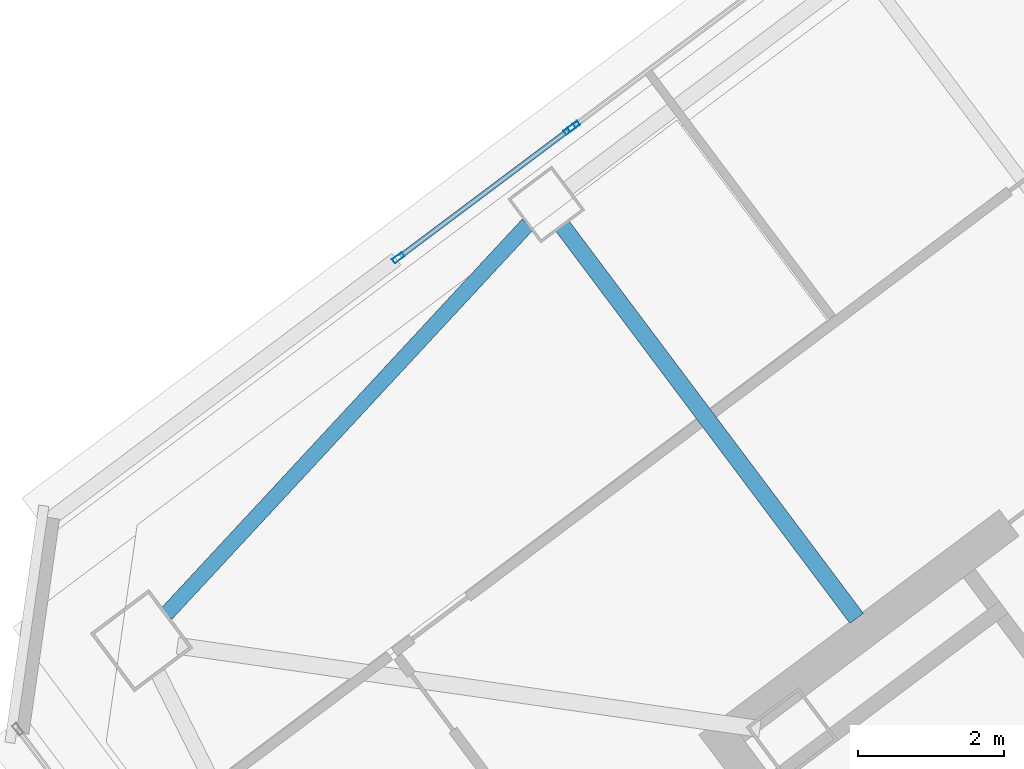
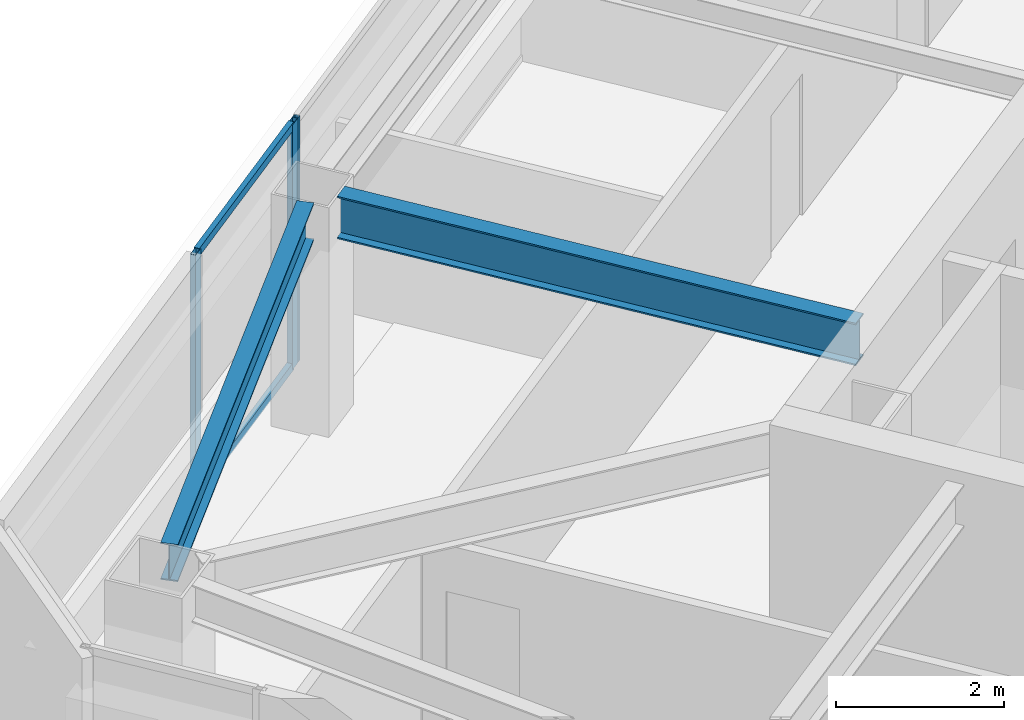
# One storey, part 21 of 40: 5 members, 2 beams, 2 elements without a shape of their own.
"""IFC4 building model written with IfcOpenShell, lengths in metres."""

import ifcopenshell
import ifcopenshell.guid

model = None  # the IFC model being written
_history = None  # IfcOwnerHistory: only IFC2X3 demands one
_inside = {}  # id of a spatial element -> (the spatial element, [elements in it])
_under = {}  # id of a project, library or spatial element -> (it, [spatial elements below it])
_declared = {}  # id of a project -> (the project, [libraries it declares])
_typed = {}  # id of a type object -> (the type object, [elements of that type])
_made_of = {}  # id of a material, layer set ... -> (it, [elements and type objects made of it])


def new_model(schema):
    """Start an empty IFC model of exactly this schema.

    Asked for "IFC4X3", IfcOpenShell would pick the latest addendum, in which some entities
    have other attributes; the version numbers below select the first issue.
    IFC2X3 requires an IfcOwnerHistory on every rooted entity: one is made here for all.
    """
    global model, _history
    if schema == "IFC4X3":
        model = ifcopenshell.file(schema_version=(4, 3, 0, 0))
    else:
        model = ifcopenshell.file(schema=schema)
    _inside.clear()
    _under.clear()
    _declared.clear()
    _typed.clear()
    _made_of.clear()
    _history = None
    if model.schema == "IFC2X3":
        org = make("IfcOrganization", Name="unknown")
        user = make(
            "IfcPersonAndOrganization",
            ThePerson=make("IfcPerson", FamilyName="unknown"),
            TheOrganization=org,
        )
        app = make(
            "IfcApplication",
            ApplicationDeveloper=org,
            Version="unknown",
            ApplicationFullName="unknown",
            ApplicationIdentifier="unknown",
        )
        _history = make(
            "IfcOwnerHistory",
            OwningUser=user,
            OwningApplication=app,
            ChangeAction="ADDED",
            CreationDate=0,
        )
    return model


def make(cls, **values):
    """One entity of the class cls with the attributes given. An attribute that is None is left unset."""
    return model.create_entity(
        cls, **{name: value for name, value in values.items() if value is not None}
    )


def rooted(cls, **values):
    """An entity with a GlobalId (a new one), such as an element, a storey or a relation."""
    return make(cls, GlobalId=ifcopenshell.guid.new(), OwnerHistory=_history, **values)


def si_unit(unit_type, name, prefix=None):
    """IfcSIUnit, for example si_unit("LENGTHUNIT", "METRE", prefix="MILLI")."""
    return make("IfcSIUnit", UnitType=unit_type, Prefix=prefix, Name=name)


def assignment(units):
    """IfcUnitAssignment: the units of a project."""
    return None if units is None else make("IfcUnitAssignment", Units=units)


def point(xyz):
    """IfcCartesianPoint."""
    return None if xyz is None else make("IfcCartesianPoint", Coordinates=xyz)


def direction(xyz):
    """IfcDirection."""
    return None if xyz is None else make("IfcDirection", DirectionRatios=xyz)


def frame(location, z_axis=None, x_axis=None):
    """IfcAxis2Placement3D, a coordinate frame: its origin and axes. An axis left out is left unset."""
    return make(
        "IfcAxis2Placement3D",
        Location=point(location),
        Axis=direction(z_axis),
        RefDirection=direction(x_axis),
    )


def frame_2d(location, x_axis=None):
    """IfcAxis2Placement2D, a coordinate frame in the plane: its origin and x axis."""
    return make(
        "IfcAxis2Placement2D", Location=point(location), RefDirection=direction(x_axis)
    )


def origin():
    """The frame at (0, 0, 0) with its axes left unset."""
    return frame((0.0, 0.0, 0.0))


def origin_2d():
    """The frame at (0, 0) in the plane with its x axis left unset."""
    return frame_2d((0.0, 0.0))


def place(relative_to, where):
    """IfcLocalPlacement: puts the frame where relative to a parent placement (None: the world)."""
    return make(
        "IfcLocalPlacement", PlacementRelTo=relative_to, RelativePlacement=where
    )


def context(
    kind, dimensions, precision=None, world=None, true_north=None, identifier=None
):
    """IfcGeometricRepresentationContext, for example the 3D "Model" context."""
    return make(
        "IfcGeometricRepresentationContext",
        ContextIdentifier=identifier,
        ContextType=kind,
        CoordinateSpaceDimension=dimensions,
        Precision=precision,
        WorldCoordinateSystem=world,
        TrueNorth=true_north,
    )


def subcontext(parent, identifier, kind, view, scale=None):
    """IfcGeometricRepresentationSubContext, for example "Body" below "Model"."""
    return make(
        "IfcGeometricRepresentationSubContext",
        ContextIdentifier=identifier,
        ContextType=kind,
        ParentContext=parent,
        TargetScale=scale,
        TargetView=view,
    )


def project(units=None, contexts=None):
    """IfcProject with its units and contexts."""
    return rooted(
        "IfcProject",
        Name="project",
        RepresentationContexts=contexts,
        UnitsInContext=assignment(units),
    )


def spatial(cls, under=None, at=None, **own):
    """A site, building, storey or space (cls), placed at a placement, below another one or the project."""
    s = rooted(cls, ObjectPlacement=at, **own)
    if under is not None:
        _under.setdefault(under.id(), (under, []))[1].append(s)
    return s


def profile(cls, at=None, kind="AREA", **sizes):
    """A parametric profile (cls). Its sizes go by their IFC names, for example OverallWidth=200.0."""
    return make(cls, ProfileType=kind, Position=at, **sizes)


def hollow_rectangle(**sizes):
    """IfcRectangleHollowProfileDef."""
    return profile("IfcRectangleHollowProfileDef", **sizes)


def i_section(**sizes):
    """IfcIShapeProfileDef."""
    return profile("IfcIShapeProfileDef", **sizes)


def extrude(swept, where, along, depth):
    """IfcExtrudedAreaSolid: the profile swept, set in the frame where, extruded along a direction by depth."""
    return make(
        "IfcExtrudedAreaSolid",
        SweptArea=swept,
        Position=where,
        ExtrudedDirection=direction(along),
        Depth=depth,
    )


def shape(context_of_items, identifier, shape_type, items):
    """IfcShapeRepresentation: the items that make up one representation, for example the "Body"."""
    return make(
        "IfcShapeRepresentation",
        ContextOfItems=context_of_items,
        RepresentationIdentifier=identifier,
        RepresentationType=shape_type,
        Items=items,
    )


def material(Name=None, Category=None):
    """IfcMaterial."""
    return make("IfcMaterial", Name=Name, Category=Category)


def material_profile(
    of_material, cross_section, Name=None, Category=None, Priority=None
):
    """IfcMaterialProfile: a cross section and its material."""
    return make(
        "IfcMaterialProfile",
        Name=Name,
        Material=of_material,
        Profile=cross_section,
        Priority=Priority,
        Category=Category,
    )


def profile_set(profiles, Name=None, composite=None):
    """IfcMaterialProfileSet."""
    return make(
        "IfcMaterialProfileSet",
        Name=Name,
        MaterialProfiles=profiles,
        CompositeProfile=composite,
    )


def made_of(thing, what):
    """Note that an element or type object is made of a material, layer set ...; save() writes the relation."""
    if what is not None:
        _made_of.setdefault(what.id(), (what, []))[1].append(thing)
    return thing


def type_object(cls, material=None, **own):
    """A type object (cls), such as IfcWallType, which elements share."""
    return made_of(rooted(cls, **own), material)


def element(
    cls,
    number,
    at=None,
    inside=None,
    cuts=None,
    type_object=None,
    material=None,
    context=None,
    identifier="Body",
    shape_type=None,
    held_by="IfcProductDefinitionShape",
    body=None,
    shapes=None,
    **own,
):
    """One element of the class cls, such as IfcWall. Its Tag is "e" and its number.

    at: its placement. inside: the storey or other place that contains it. cuts: it is an
    opening in that element (IfcRelVoidsElement). A single representation is given by context,
    identifier, shape_type and body (its items); several are given by shapes. held_by: the class
    of the entity that holds the representations. save() writes the other relations.
    """
    e = rooted(cls, Tag="e%d" % number, ObjectPlacement=at, **own)
    if body is not None:
        shapes = [shape(context, identifier, shape_type, body)]
    if shapes is not None:
        e.Representation = make(held_by, Representations=shapes)
    if inside is not None:
        _inside.setdefault(inside.id(), (inside, []))[1].append(e)
    if cuts is not None:
        rooted(
            "IfcRelVoidsElement", RelatingBuildingElement=cuts, RelatedOpeningElement=e
        )
    if type_object is not None:
        _typed.setdefault(type_object.id(), (type_object, []))[1].append(e)
    return made_of(e, material)


def aggregate(whole, parts):
    """IfcRelAggregates: a whole, such as a stair, and the parts it consists of."""
    return rooted("IfcRelAggregates", RelatingObject=whole, RelatedObjects=parts)


def save(model, path):
    """Write the relations noted so far, then the file.

    IfcRelAggregates (storeys below a building ...), IfcRelContainedInSpatialStructure (elements
    in a storey), IfcRelDefinesByType, IfcRelAssociatesMaterial and IfcRelDeclares: one each for
    every whole, place, type object, material and project.
    """
    for whole, parts in _under.values():
        aggregate(whole, parts)
    for where, things in _inside.values():
        rooted(
            "IfcRelContainedInSpatialStructure",
            RelatedElements=things,
            RelatingStructure=where,
        )
    for kind, things in _typed.values():
        rooted("IfcRelDefinesByType", RelatedObjects=things, RelatingType=kind)
    for what, things in _made_of.values():
        rooted("IfcRelAssociatesMaterial", RelatedObjects=things, RelatingMaterial=what)
    for by, libraries in _declared.values():
        rooted("IfcRelDeclares", RelatingContext=by, RelatedDefinitions=libraries)
    model.write(path)


model = new_model("IFC4")

# Units and contexts
model_context = context("Model", 3, precision=1e-05, world=origin(), true_north=direction((0.0, 1.0)))
body_context = subcontext(model_context, "Body", "Model", "MODEL_VIEW")
ifc_project = project(units=[si_unit("LENGTHUNIT", "METRE"), si_unit("AREAUNIT", "SQUARE_METRE"), si_unit("VOLUMEUNIT", "CUBIC_METRE"), si_unit("PLANEANGLEUNIT", "RADIAN"), si_unit("MASSUNIT", "GRAM", prefix="KILO")], contexts=[model_context])

# Site, building, storey
site_placement = place(None, origin())
site = spatial("IfcSite", under=ifc_project, at=site_placement, CompositionType="ELEMENT")
building_placement = place(site_placement, origin())
building = spatial("IfcBuilding", under=site, at=building_placement, Name="Tashvorn Skyway Center", CompositionType="ELEMENT")
storey_placement = place(building_placement, frame((0.0, 0.0, 221.949951171875)))
storey = spatial("IfcBuildingStorey", under=building, at=storey_placement, Name="L60", CompositionType="ELEMENT", Elevation=221.949951171875)

# Beams
ifc_material_1 = material(Name="Steel ASTM A992 Grade 50", Category="steel")
ifc_material_profile_1 = material_profile(ifc_material_1, i_section(OverallWidth=0.22998046875, OverallDepth=0.616943359375, WebThickness=0.01318359375, FlangeThickness=0.022216796875, at=origin_2d()), Name="W24X94")
ifc_profile_set_1 = profile_set([ifc_material_profile_1], Name="Steel ASTM A992 Grade 50")
beam_type_1 = type_object("IfcBeamType", Name="BM-BEAM-W24X94", PredefinedType="BEAM", material=ifc_profile_set_1)
beam_1_placement = place(storey_placement, frame((100.991943359375, 40.343994140625, 3.0615234375), z_axis=(0.599994169845, -0.800004372583, 0.0), x_axis=(0.800004372583, 0.599994169845, 0.0)))
element("IfcBeam", 1, at=beam_1_placement, inside=storey, type_object=beam_type_1, Name="Tower 2 L60 Primary Floor Girder FC-N2", PredefinedType="BEAM", context=body_context, shape_type="SweptSolid", body=[
    extrude(i_section(OverallWidth=0.22998046875, OverallDepth=0.616943359375, WebThickness=0.01318359375, FlangeThickness=0.022216796875, at=origin_2d()), origin(), (0.0, 0.0, 1.0), 6.7001953125),
])
ifc_material_profile_2 = material_profile(ifc_material_1, i_section(OverallWidth=0.2109375, OverallDepth=0.5390625, WebThickness=0.01171875, FlangeThickness=0.018798828125, at=origin_2d()), Name="W21X73")
ifc_profile_set_2 = profile_set([ifc_material_profile_2], Name="Steel ASTM A992 Grade 50")
beam_type_2 = type_object("IfcBeamType", Name="BM-SPANDREL-W21X73", PredefinedType="SPANDREL", material=ifc_profile_set_2)
beam_2_placement = place(storey_placement, frame((100.518310546875, 40.36865234375, 3.1005859375), z_axis=(-0.680182956622, -0.733042389989, 0.0), x_axis=(0.733042389989, -0.680182956622, 0.0)))
element("IfcBeam", 2, at=beam_2_placement, inside=storey, type_object=beam_type_2, Name="Tower 2 L60 Spandrel Beam 09", PredefinedType="SPANDREL", context=body_context, shape_type="SweptSolid", body=[
    extrude(i_section(OverallWidth=0.2109375, OverallDepth=0.5390625, WebThickness=0.01171875, FlangeThickness=0.018798828125, at=origin_2d()), origin(), (0.0, 0.0, 1.0), 7.26513671875),
])

# Curtain wall, members
ifc_material_2 = material(Name="Thermally broken bronze-anodized aluminium 6063-T6", Category="aluminium")
curtain_wall_type = type_object("IfcCurtainWallType", Name="CW-CW-Z5", PredefinedType="NOTDEFINED", material=ifc_material_2)
curtain_wall_1_placement = place(storey_placement, origin())
curtain_wall_1 = element("IfcCurtainWall", 3, at=curtain_wall_1_placement, inside=storey, type_object=curtain_wall_type, Name="Tower 2 L60 North Unitised Curtain Wall Glazing Group 1", PredefinedType="NOTDEFINED")
ifc_material_profile_3 = material_profile(ifc_material_2, hollow_rectangle(XDim=0.070068359375, YDim=0.1650390625, WallThickness=0.00390625, at=origin_2d()), Name="ALU-MULL-70x165")
ifc_profile_set_3 = profile_set([ifc_material_profile_3], Name="Thermally broken bronze-anodized aluminium 6063-T6")
member_type_1 = type_object("IfcMemberType", Name="CWM-CW-Z5", PredefinedType="MULLION", material=ifc_profile_set_3)
member_1_placement = place(storey_placement, frame((98.748779296875, 39.91162109375, 0.0), z_axis=(0.0, 0.0, 1.0), x_axis=(-0.600000000002, 0.799999999998, 0.0)))
member_1 = element("IfcMember", 4, at=member_1_placement, type_object=member_type_1, Name="CW-Z5 mullion 1", PredefinedType="MULLION", context=body_context, shape_type="SweptSolid", body=[
    extrude(hollow_rectangle(XDim=0.070068359375, YDim=0.1650390625, WallThickness=0.00390625, at=origin_2d()), origin(), (0.0, 0.0, 1.0), 3.550048828125),
])
member_2_placement = place(storey_placement, frame((101.08935546875, 41.6669921875, 0.0), z_axis=(0.0, 0.0, 1.0), x_axis=(-0.600000000002, 0.799999999998, 0.0)))
member_2 = element("IfcMember", 5, at=member_2_placement, type_object=member_type_1, Name="CW-Z5 mullion 2", PredefinedType="MULLION", context=body_context, shape_type="SweptSolid", body=[
    extrude(hollow_rectangle(XDim=0.070068359375, YDim=0.1650390625, WallThickness=0.00390625, at=origin_2d()), origin(), (0.0, 0.0, 1.0), 3.550048828125),
])

# Curtain wall, member
curtain_wall_2_placement = place(storey_placement, origin())
curtain_wall_2 = element("IfcCurtainWall", 6, at=curtain_wall_2_placement, inside=storey, type_object=curtain_wall_type, Name="Tower 2 L60 North Unitised Curtain Wall Glazing Group 2", PredefinedType="NOTDEFINED")
member_3_placement = place(storey_placement, frame((101.145263671875, 41.708984375, 0.0), z_axis=(0.0, 0.0, 1.0), x_axis=(-0.599996439189, 0.800002670596, 0.0)))
member_3 = element("IfcMember", 7, at=member_3_placement, type_object=member_type_1, Name="CW-Z5 mullion 1", PredefinedType="MULLION", context=body_context, shape_type="SweptSolid", body=[
    extrude(hollow_rectangle(XDim=0.070068359375, YDim=0.1650390625, WallThickness=0.00390625, at=origin_2d()), origin(), (0.0, 0.0, 1.0), 3.550048828125),
])
aggregate(curtain_wall_2, [member_3])

# Member
ifc_material_profile_4 = material_profile(ifc_material_2, hollow_rectangle(XDim=0.070068359375, YDim=0.114990234375, WallThickness=0.00390625, at=origin_2d()), Name="ALU-TRAN-70x115")
ifc_profile_set_4 = profile_set([ifc_material_profile_4], Name="Thermally broken bronze-anodized aluminium 6063-T6")
member_type_2 = type_object("IfcMemberType", Name="CWT-CW-Z5", PredefinedType="USERDEFINED", material=ifc_profile_set_4)
member_4_placement = place(storey_placement, frame((98.77685546875, 39.9326171875, 0.03515625), z_axis=(0.799989740316, 0.600013679335, 0.0), x_axis=(-0.600013679335, 0.799989740316, 0.0)))
member_4 = element("IfcMember", 8, at=member_4_placement, type_object=member_type_2, Name="CW-Z5 transom 1.1", ObjectType="TRANSOM", PredefinedType="USERDEFINED", context=body_context, shape_type="SweptSolid", body=[
    extrude(hollow_rectangle(XDim=0.070068359375, YDim=0.114990234375, WallThickness=0.00390625, at=origin_2d()), origin(), (0.0, 0.0, 1.0), 2.85546875),
])

member_5_placement = place(storey_placement, frame((98.77685546875, 39.9326171875, 3.51513671875), z_axis=(0.799989740316, 0.600013679335, 0.0), x_axis=(-0.600013679335, 0.799989740316, 0.0)))
member_5 = element("IfcMember", 9, at=member_5_placement, type_object=member_type_2, Name="CW-Z5 transom 1.2", ObjectType="TRANSOM", PredefinedType="USERDEFINED", context=body_context, shape_type="SweptSolid", body=[
    extrude(hollow_rectangle(XDim=0.070068359375, YDim=0.114990234375, WallThickness=0.00390625, at=origin_2d()), origin(), (0.0, 0.0, 1.0), 2.85546875),
])

aggregate(curtain_wall_1, [member_1, member_2, member_4, member_5])

save(model, "model.ifc")
